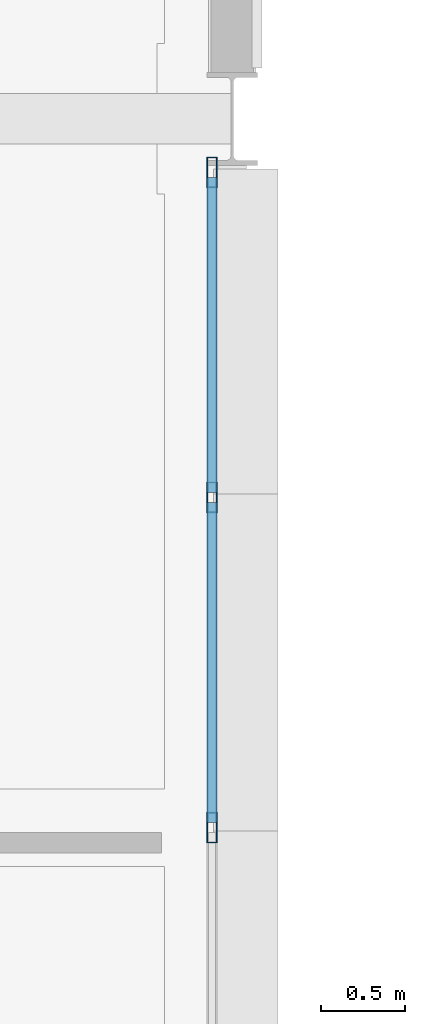
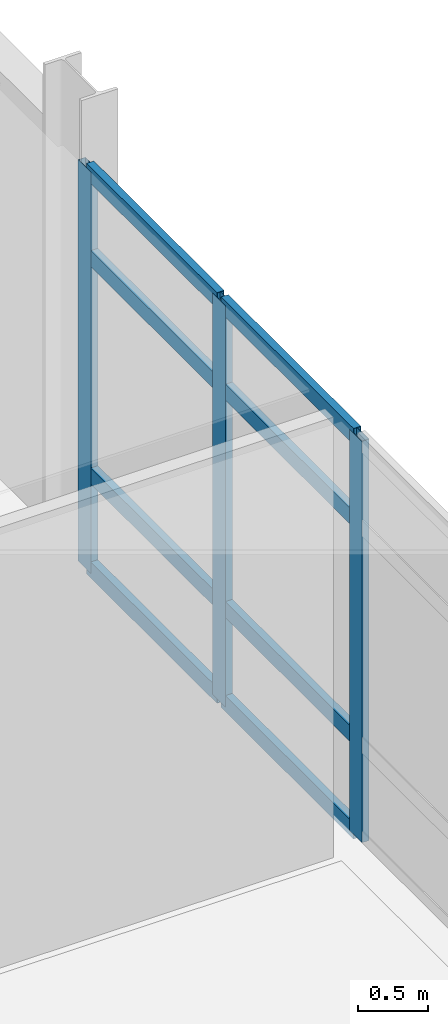
# One storey, part 40 of 103: 11 members, 1 element without a shape of its own.
"""IFC4 building model written with IfcOpenShell, lengths in metres."""

from ifc_helpers import new_model, si_unit, direction, frame, origin, origin_2d, place, context, subcontext, project, spatial, hollow_rectangle, extrude, material, material_profile, profile_set, type_object, element, aggregate, save


model = new_model("IFC4")

# Units and contexts
model_context = context("Model", 3, precision=1e-05, world=origin(), true_north=direction((0.0, 1.0)))
body_context = subcontext(model_context, "Body", "Model", "MODEL_VIEW")
ifc_project = project(units=[si_unit("LENGTHUNIT", "METRE"), si_unit("AREAUNIT", "SQUARE_METRE"), si_unit("VOLUMEUNIT", "CUBIC_METRE"), si_unit("PLANEANGLEUNIT", "RADIAN"), si_unit("MASSUNIT", "GRAM", prefix="KILO")], contexts=[model_context])

# Site, building, storey
site_placement = place(None, origin())
site = spatial("IfcSite", under=ifc_project, at=site_placement, CompositionType="ELEMENT")
building_placement = place(site_placement, origin())
building = spatial("IfcBuilding", under=site, at=building_placement, Name="Mersafa Astral City Hall", CompositionType="ELEMENT")
storey_placement = place(building_placement, frame((0.0, 0.0, 18.0)))
storey = spatial("IfcBuildingStorey", under=building, at=storey_placement, Name="L04", CompositionType="ELEMENT", Elevation=18.0)

# Curtain wall, members
ifc_material = material(Name="Anodised bronze aluminium framing", Category="aluminium")
curtain_wall_type = type_object("IfcCurtainWallType", Name="ENV-CW-6", PredefinedType="USERDEFINED", material=ifc_material)
curtain_wall_placement = place(storey_placement, origin())
curtain_wall = element("IfcCurtainWall", 1, at=curtain_wall_placement, inside=storey, type_object=curtain_wall_type, Name="L04 Unitised solar curtain wall 215", ObjectType="UNITISED CURTAIN WALL", PredefinedType="USERDEFINED")
ifc_material_profile_1 = material_profile(ifc_material, hollow_rectangle(XDim=0.06005859375, YDim=0.179931640625, WallThickness=0.00390625, at=origin_2d()), Name="RHS 60x180x4")
ifc_profile_set_1 = profile_set([ifc_material_profile_1], Name="Anodised bronze aluminium framing")
member_type_1 = type_object("IfcMemberType", Name="ENV-CW-MUL-1", PredefinedType="MULLION", material=ifc_profile_set_1)
member_1_placement = place(storey_placement, frame((117.47998046875, 88.199951171875, -0.001953125), z_axis=(0.0, 0.0, 1.0), x_axis=(-1.0, 0.0, 0.0)))
member_1 = element("IfcMember", 2, at=member_1_placement, type_object=member_type_1, Name="CW-6 mullion 3", PredefinedType="MULLION", context=body_context, shape_type="SweptSolid", body=[
    extrude(hollow_rectangle(XDim=0.06005859375, YDim=0.179931640625, WallThickness=0.00390625, at=origin_2d()), origin(), (0.0, 0.0, 1.0), 3.509033203125),
])
member_2_placement = place(storey_placement, frame((117.47998046875, 90.156494140625, -0.001953125), z_axis=(0.0, 0.0, 1.0), x_axis=(-1.0, 0.0, 0.0)))
member_2 = element("IfcMember", 3, at=member_2_placement, type_object=member_type_1, Name="CW-6 mullion 4", PredefinedType="MULLION", context=body_context, shape_type="SweptSolid", body=[
    extrude(hollow_rectangle(XDim=0.06005859375, YDim=0.179931640625, WallThickness=0.00390625, at=origin_2d()), origin(), (0.0, 0.0, 1.0), 3.509033203125),
])
member_3_placement = place(storey_placement, frame((117.47998046875, 92.0830078125, -0.001953125), z_axis=(0.0, 0.0, 1.0), x_axis=(-1.0, 0.0, 0.0)))
member_3 = element("IfcMember", 4, at=member_3_placement, type_object=member_type_1, Name="CW-6 mullion 5", PredefinedType="MULLION", context=body_context, shape_type="SweptSolid", body=[
    extrude(hollow_rectangle(XDim=0.06005859375, YDim=0.179931640625, WallThickness=0.00390625, at=origin_2d()), origin(), (0.0, 0.0, 1.0), 3.509033203125),
])
ifc_material_profile_2 = material_profile(ifc_material, hollow_rectangle(XDim=0.06005859375, YDim=0.139892578125, WallThickness=0.00390625, at=origin_2d()), Name="RHS 60x140x4")
ifc_profile_set_2 = profile_set([ifc_material_profile_2], Name="Anodised bronze aluminium framing")
member_type_2 = type_object("IfcMemberType", Name="ENV-CW-TRN-1", PredefinedType="USERDEFINED", material=ifc_profile_set_2)
member_4_placement = place(storey_placement, frame((117.47998046875, 88.22998046875, 0.028076171875), z_axis=(0.0, 1.0, 0.0), x_axis=(-1.0, 0.0, 0.0)))
member_4 = element("IfcMember", 5, at=member_4_placement, type_object=member_type_2, Name="CW-6 transom 3.1", ObjectType="TRANSOM", PredefinedType="USERDEFINED", context=body_context, shape_type="SweptSolid", body=[
    extrude(hollow_rectangle(XDim=0.06005859375, YDim=0.139892578125, WallThickness=0.00390625, at=origin_2d()), origin(), (0.0, 0.0, 1.0), 1.896484375),
])
member_5_placement = place(storey_placement, frame((117.47998046875, 88.22998046875, 0.85009765625), z_axis=(0.0, 1.0, 0.0), x_axis=(-1.0, 0.0, 0.0)))
member_5 = element("IfcMember", 6, at=member_5_placement, type_object=member_type_2, Name="CW-6 transom 3.2", ObjectType="TRANSOM", PredefinedType="USERDEFINED", context=body_context, shape_type="SweptSolid", body=[
    extrude(hollow_rectangle(XDim=0.06005859375, YDim=0.139892578125, WallThickness=0.00390625, at=origin_2d()), origin(), (0.0, 0.0, 1.0), 1.896484375),
])
member_6_placement = place(storey_placement, frame((117.47998046875, 88.22998046875, 2.75), z_axis=(0.0, 1.0, 0.0), x_axis=(-1.0, 0.0, 0.0)))
member_6 = element("IfcMember", 7, at=member_6_placement, type_object=member_type_2, Name="CW-6 transom 3.3", ObjectType="TRANSOM", PredefinedType="USERDEFINED", context=body_context, shape_type="SweptSolid", body=[
    extrude(hollow_rectangle(XDim=0.06005859375, YDim=0.139892578125, WallThickness=0.00390625, at=origin_2d()), origin(), (0.0, 0.0, 1.0), 1.896484375),
])
member_7_placement = place(storey_placement, frame((117.47998046875, 88.22998046875, 3.47705078125), z_axis=(0.0, 1.0, 0.0), x_axis=(-1.0, 0.0, 0.0)))
member_7 = element("IfcMember", 8, at=member_7_placement, type_object=member_type_2, Name="CW-6 transom 3.4", ObjectType="TRANSOM", PredefinedType="USERDEFINED", context=body_context, shape_type="SweptSolid", body=[
    extrude(hollow_rectangle(XDim=0.06005859375, YDim=0.139892578125, WallThickness=0.00390625, at=origin_2d()), origin(), (0.0, 0.0, 1.0), 1.896484375),
])
member_8_placement = place(storey_placement, frame((117.47998046875, 90.1865234375, 0.028076171875), z_axis=(0.0, 1.0, 0.0), x_axis=(-1.0, 0.0, 0.0)))
member_8 = element("IfcMember", 9, at=member_8_placement, type_object=member_type_2, Name="CW-6 transom 4.1", ObjectType="TRANSOM", PredefinedType="USERDEFINED", context=body_context, shape_type="SweptSolid", body=[
    extrude(hollow_rectangle(XDim=0.06005859375, YDim=0.139892578125, WallThickness=0.00390625, at=origin_2d()), origin(), (0.0, 0.0, 1.0), 1.866455078125),
])
member_9_placement = place(storey_placement, frame((117.47998046875, 90.1865234375, 0.85009765625), z_axis=(0.0, 1.0, 0.0), x_axis=(-1.0, 0.0, 0.0)))
member_9 = element("IfcMember", 10, at=member_9_placement, type_object=member_type_2, Name="CW-6 transom 4.2", ObjectType="TRANSOM", PredefinedType="USERDEFINED", context=body_context, shape_type="SweptSolid", body=[
    extrude(hollow_rectangle(XDim=0.06005859375, YDim=0.139892578125, WallThickness=0.00390625, at=origin_2d()), origin(), (0.0, 0.0, 1.0), 1.866455078125),
])
member_10_placement = place(storey_placement, frame((117.47998046875, 90.1865234375, 2.75), z_axis=(0.0, 1.0, 0.0), x_axis=(-1.0, 0.0, 0.0)))
member_10 = element("IfcMember", 11, at=member_10_placement, type_object=member_type_2, Name="CW-6 transom 4.3", ObjectType="TRANSOM", PredefinedType="USERDEFINED", context=body_context, shape_type="SweptSolid", body=[
    extrude(hollow_rectangle(XDim=0.06005859375, YDim=0.139892578125, WallThickness=0.00390625, at=origin_2d()), origin(), (0.0, 0.0, 1.0), 1.866455078125),
])
member_11_placement = place(storey_placement, frame((117.47998046875, 90.1865234375, 3.47705078125), z_axis=(0.0, 1.0, 0.0), x_axis=(-1.0, 0.0, 0.0)))
member_11 = element("IfcMember", 12, at=member_11_placement, type_object=member_type_2, Name="CW-6 transom 4.4", ObjectType="TRANSOM", PredefinedType="USERDEFINED", context=body_context, shape_type="SweptSolid", body=[
    extrude(hollow_rectangle(XDim=0.06005859375, YDim=0.139892578125, WallThickness=0.00390625, at=origin_2d()), origin(), (0.0, 0.0, 1.0), 1.866455078125),
])
aggregate(curtain_wall, [member_1, member_2, member_3, member_4, member_5, member_6, member_7, member_8, member_9, member_10, member_11])

save(model, "model.ifc")
